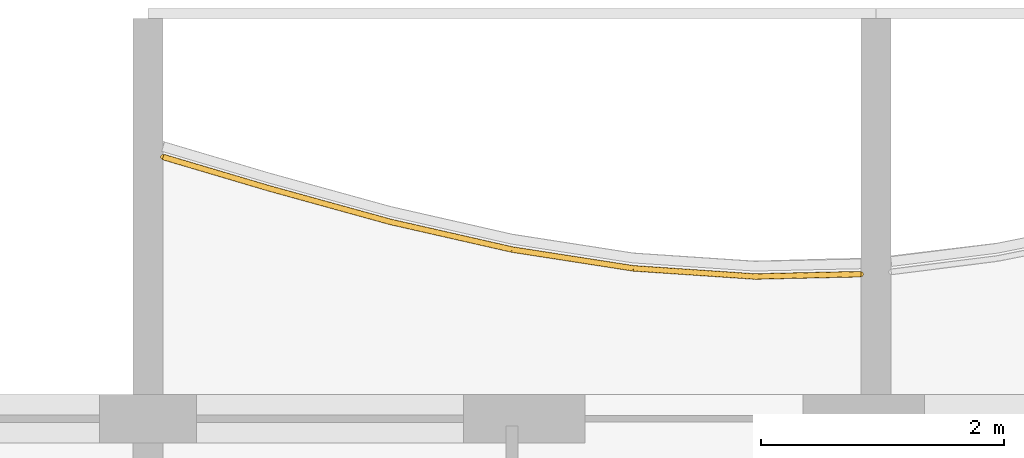
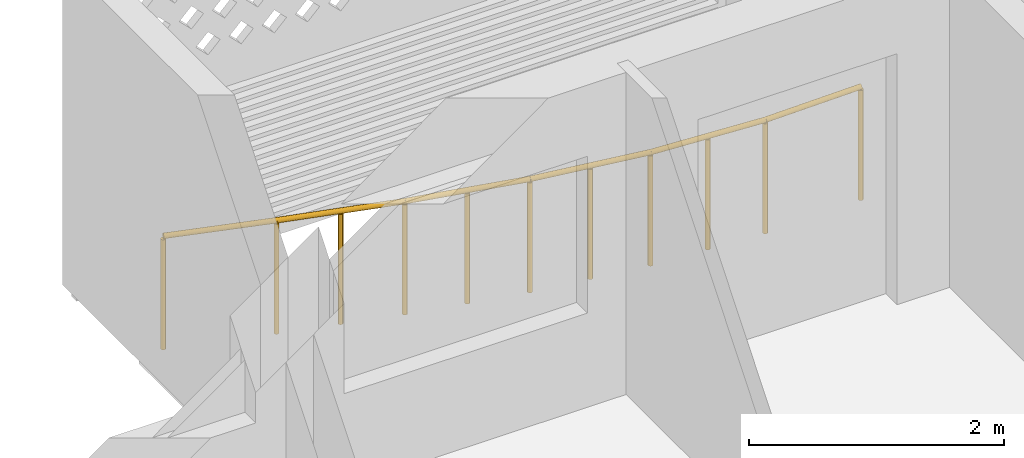
# One storey, part 16 of 27: 1 railing.
"""IFC4 building model written with IfcOpenShell, lengths in metres."""

import ifcopenshell
import ifcopenshell.guid

model = None  # the IFC model being written
_history = None  # IfcOwnerHistory: only IFC2X3 demands one
_inside = {}  # id of a spatial element -> (the spatial element, [elements in it])
_under = {}  # id of a project, library or spatial element -> (it, [spatial elements below it])
_declared = {}  # id of a project -> (the project, [libraries it declares])
_typed = {}  # id of a type object -> (the type object, [elements of that type])
_made_of = {}  # id of a material, layer set ... -> (it, [elements and type objects made of it])


def new_model(schema):
    """Start an empty IFC model of exactly this schema.

    Asked for "IFC4X3", IfcOpenShell would pick the latest addendum, in which some entities
    have other attributes; the version numbers below select the first issue.
    IFC2X3 requires an IfcOwnerHistory on every rooted entity: one is made here for all.
    """
    global model, _history
    if schema == "IFC4X3":
        model = ifcopenshell.file(schema_version=(4, 3, 0, 0))
    else:
        model = ifcopenshell.file(schema=schema)
    _inside.clear()
    _under.clear()
    _declared.clear()
    _typed.clear()
    _made_of.clear()
    _history = None
    if model.schema == "IFC2X3":
        org = make("IfcOrganization", Name="unknown")
        user = make(
            "IfcPersonAndOrganization",
            ThePerson=make("IfcPerson", FamilyName="unknown"),
            TheOrganization=org,
        )
        app = make(
            "IfcApplication",
            ApplicationDeveloper=org,
            Version="unknown",
            ApplicationFullName="unknown",
            ApplicationIdentifier="unknown",
        )
        _history = make(
            "IfcOwnerHistory",
            OwningUser=user,
            OwningApplication=app,
            ChangeAction="ADDED",
            CreationDate=0,
        )
    return model


def make(cls, **values):
    """One entity of the class cls with the attributes given. An attribute that is None is left unset."""
    return model.create_entity(
        cls, **{name: value for name, value in values.items() if value is not None}
    )


def rooted(cls, **values):
    """An entity with a GlobalId (a new one), such as an element, a storey or a relation."""
    return make(cls, GlobalId=ifcopenshell.guid.new(), OwnerHistory=_history, **values)


def si_unit(unit_type, name, prefix=None):
    """IfcSIUnit, for example si_unit("LENGTHUNIT", "METRE", prefix="MILLI")."""
    return make("IfcSIUnit", UnitType=unit_type, Prefix=prefix, Name=name)


def assignment(units):
    """IfcUnitAssignment: the units of a project."""
    return None if units is None else make("IfcUnitAssignment", Units=units)


def point(xyz):
    """IfcCartesianPoint."""
    return None if xyz is None else make("IfcCartesianPoint", Coordinates=xyz)


def direction(xyz):
    """IfcDirection."""
    return None if xyz is None else make("IfcDirection", DirectionRatios=xyz)


def frame(location, z_axis=None, x_axis=None):
    """IfcAxis2Placement3D, a coordinate frame: its origin and axes. An axis left out is left unset."""
    return make(
        "IfcAxis2Placement3D",
        Location=point(location),
        Axis=direction(z_axis),
        RefDirection=direction(x_axis),
    )


def frame_2d(location, x_axis=None):
    """IfcAxis2Placement2D, a coordinate frame in the plane: its origin and x axis."""
    return make(
        "IfcAxis2Placement2D", Location=point(location), RefDirection=direction(x_axis)
    )


def origin():
    """The frame at (0, 0, 0) with its axes left unset."""
    return frame((0.0, 0.0, 0.0))


def origin_2d():
    """The frame at (0, 0) in the plane with its x axis left unset."""
    return frame_2d((0.0, 0.0))


def place(relative_to, where):
    """IfcLocalPlacement: puts the frame where relative to a parent placement (None: the world)."""
    return make(
        "IfcLocalPlacement", PlacementRelTo=relative_to, RelativePlacement=where
    )


def context(
    kind, dimensions, precision=None, world=None, true_north=None, identifier=None
):
    """IfcGeometricRepresentationContext, for example the 3D "Model" context."""
    return make(
        "IfcGeometricRepresentationContext",
        ContextIdentifier=identifier,
        ContextType=kind,
        CoordinateSpaceDimension=dimensions,
        Precision=precision,
        WorldCoordinateSystem=world,
        TrueNorth=true_north,
    )


def subcontext(parent, identifier, kind, view, scale=None):
    """IfcGeometricRepresentationSubContext, for example "Body" below "Model"."""
    return make(
        "IfcGeometricRepresentationSubContext",
        ContextIdentifier=identifier,
        ContextType=kind,
        ParentContext=parent,
        TargetScale=scale,
        TargetView=view,
    )


def project(units=None, contexts=None):
    """IfcProject with its units and contexts."""
    return rooted(
        "IfcProject",
        Name="project",
        RepresentationContexts=contexts,
        UnitsInContext=assignment(units),
    )


def spatial(cls, under=None, at=None, **own):
    """A site, building, storey or space (cls), placed at a placement, below another one or the project."""
    s = rooted(cls, ObjectPlacement=at, **own)
    if under is not None:
        _under.setdefault(under.id(), (under, []))[1].append(s)
    return s


def profile(cls, at=None, kind="AREA", **sizes):
    """A parametric profile (cls). Its sizes go by their IFC names, for example OverallWidth=200.0."""
    return make(cls, ProfileType=kind, Position=at, **sizes)


def circle(**sizes):
    """IfcCircleProfileDef."""
    return profile("IfcCircleProfileDef", **sizes)


def extrude(swept, where, along, depth):
    """IfcExtrudedAreaSolid: the profile swept, set in the frame where, extruded along a direction by depth."""
    return make(
        "IfcExtrudedAreaSolid",
        SweptArea=swept,
        Position=where,
        ExtrudedDirection=direction(along),
        Depth=depth,
    )


def shape(context_of_items, identifier, shape_type, items):
    """IfcShapeRepresentation: the items that make up one representation, for example the "Body"."""
    return make(
        "IfcShapeRepresentation",
        ContextOfItems=context_of_items,
        RepresentationIdentifier=identifier,
        RepresentationType=shape_type,
        Items=items,
    )


def material(Name=None, Category=None):
    """IfcMaterial."""
    return make("IfcMaterial", Name=Name, Category=Category)


def made_of(thing, what):
    """Note that an element or type object is made of a material, layer set ...; save() writes the relation."""
    if what is not None:
        _made_of.setdefault(what.id(), (what, []))[1].append(thing)
    return thing


def type_object(cls, material=None, **own):
    """A type object (cls), such as IfcWallType, which elements share."""
    return made_of(rooted(cls, **own), material)


def element(
    cls,
    number,
    at=None,
    inside=None,
    cuts=None,
    type_object=None,
    material=None,
    context=None,
    identifier="Body",
    shape_type=None,
    held_by="IfcProductDefinitionShape",
    body=None,
    shapes=None,
    **own,
):
    """One element of the class cls, such as IfcWall. Its Tag is "e" and its number.

    at: its placement. inside: the storey or other place that contains it. cuts: it is an
    opening in that element (IfcRelVoidsElement). A single representation is given by context,
    identifier, shape_type and body (its items); several are given by shapes. held_by: the class
    of the entity that holds the representations. save() writes the other relations.
    """
    e = rooted(cls, Tag="e%d" % number, ObjectPlacement=at, **own)
    if body is not None:
        shapes = [shape(context, identifier, shape_type, body)]
    if shapes is not None:
        e.Representation = make(held_by, Representations=shapes)
    if inside is not None:
        _inside.setdefault(inside.id(), (inside, []))[1].append(e)
    if cuts is not None:
        rooted(
            "IfcRelVoidsElement", RelatingBuildingElement=cuts, RelatedOpeningElement=e
        )
    if type_object is not None:
        _typed.setdefault(type_object.id(), (type_object, []))[1].append(e)
    return made_of(e, material)


def aggregate(whole, parts):
    """IfcRelAggregates: a whole, such as a stair, and the parts it consists of."""
    return rooted("IfcRelAggregates", RelatingObject=whole, RelatedObjects=parts)


def save(model, path):
    """Write the relations noted so far, then the file.

    IfcRelAggregates (storeys below a building ...), IfcRelContainedInSpatialStructure (elements
    in a storey), IfcRelDefinesByType, IfcRelAssociatesMaterial and IfcRelDeclares: one each for
    every whole, place, type object, material and project.
    """
    for whole, parts in _under.values():
        aggregate(whole, parts)
    for where, things in _inside.values():
        rooted(
            "IfcRelContainedInSpatialStructure",
            RelatedElements=things,
            RelatingStructure=where,
        )
    for kind, things in _typed.values():
        rooted("IfcRelDefinesByType", RelatedObjects=things, RelatingType=kind)
    for what, things in _made_of.values():
        rooted("IfcRelAssociatesMaterial", RelatedObjects=things, RelatingMaterial=what)
    for by, libraries in _declared.values():
        rooted("IfcRelDeclares", RelatingContext=by, RelatedDefinitions=libraries)
    model.write(path)


model = new_model("IFC4")

# Units and contexts
model_context = context("Model", 3, precision=1e-05, world=origin(), true_north=direction((0.0, 1.0)))
body_context = subcontext(model_context, "Body", "Model", "MODEL_VIEW")
ifc_project = project(units=[si_unit("LENGTHUNIT", "METRE"), si_unit("AREAUNIT", "SQUARE_METRE"), si_unit("VOLUMEUNIT", "CUBIC_METRE"), si_unit("PLANEANGLEUNIT", "RADIAN"), si_unit("MASSUNIT", "GRAM", prefix="KILO")], contexts=[model_context])

# Site, building, storey
site_placement = place(None, origin())
site = spatial("IfcSite", under=ifc_project, at=site_placement, CompositionType="ELEMENT")
building_placement = place(site_placement, origin())
building = spatial("IfcBuilding", under=site, at=building_placement, Name="Poui Terraces", CompositionType="ELEMENT")
storey_placement = place(building_placement, frame((0.0, 0.0, 254.39990234375)))
storey = spatial("IfcBuildingStorey", under=building, at=storey_placement, Name="L71", CompositionType="ELEMENT", Elevation=254.39990234375)

# Railing
ifc_material = material(Name="Painted steel fretwork", Category="steel")
railing_type = type_object("IfcRailingType", Name="BALCONY GUARD 1100", PredefinedType="GUARDRAIL", material=ifc_material)
railing_placement = place(storey_placement, frame((30.125, 43.35693359375, 0.0)))
element("IfcRailing", 1, at=railing_placement, inside=storey, type_object=railing_type, Name="BALCONY GUARD", PredefinedType="GUARDRAIL", context=body_context, shape_type="SweptSolid", body=[
    extrude(circle(Radius=0.02392578125, at=origin_2d()), frame((0.0, 0.0, 1.076171875), z_axis=(0.958865561228, -0.283860591647, 0.0), x_axis=(0.283860591647, 0.958865561228, 0.0)), (0.0, 0.0, 1.0), 0.91259765625),
    extrude(circle(Radius=0.02392578125, at=origin_2d()), frame((0.875, -0.259033203125, 1.076171875), z_axis=(0.963928100541, -0.26616276409, 0.0), x_axis=(0.26616276409, 0.963928100541, 0.0)), (0.0, 0.0, 1.0), 1.037353515625),
    extrude(circle(Radius=0.02392578125, at=origin_2d()), frame((1.875, -0.53515625, 1.076171875), z_axis=(0.975128178395, -0.221641683127, 0.0), x_axis=(0.221641683127, 0.975128178395, 0.0)), (0.0, 0.0, 1.0), 1.025390625),
    extrude(circle(Radius=0.02392578125, at=origin_2d()), frame((2.875, -0.762451171875, 1.076171875), z_axis=(0.9881587723, -0.153434809371, 0.0), x_axis=(0.153434809371, 0.9881587723, 0.0)), (0.0, 0.0, 1.0), 1.011962890625),
    extrude(circle(Radius=0.02392578125, at=origin_2d()), frame((3.875, -0.917724609375, 1.076171875), z_axis=(0.997753790287, -0.066987864338, 0.0), x_axis=(0.066987864338, 0.997753790287, 0.0)), (0.0, 0.0, 1.0), 1.002197265625),
    extrude(circle(Radius=0.02392578125, at=origin_2d()), frame((4.875, -0.98486328125, 1.076171875), z_axis=(0.999757154554, 0.022037057815, 0.0), x_axis=(-0.022037057815, 0.999757154554, 0.0)), (0.0, 0.0, 1.0), 0.875244140625),
    extrude(circle(Radius=0.02099609375, at=origin_2d()), origin(), (0.0, 0.0, 1.0), 1.052001953125),
    extrude(circle(Radius=0.02099609375, at=origin_2d()), frame((0.875, -0.259033203125, 0.0)), (0.0, 0.0, 1.0), 1.052001953125),
    extrude(circle(Radius=0.02099609375, at=origin_2d()), frame((1.375, -0.39697265625, 0.0)), (0.0, 0.0, 1.0), 1.052001953125),
    extrude(circle(Radius=0.02099609375, at=origin_2d()), frame((1.875, -0.53515625, 0.0)), (0.0, 0.0, 1.0), 1.052001953125),
    extrude(circle(Radius=0.02099609375, at=origin_2d()), frame((2.375, -0.64892578125, 0.0)), (0.0, 0.0, 1.0), 1.052001953125),
    extrude(circle(Radius=0.02099609375, at=origin_2d()), frame((2.875, -0.762451171875, 0.0)), (0.0, 0.0, 1.0), 1.052001953125),
    extrude(circle(Radius=0.02099609375, at=origin_2d()), frame((3.375, -0.840087890625, 0.0)), (0.0, 0.0, 1.0), 1.052001953125),
    extrude(circle(Radius=0.02099609375, at=origin_2d()), frame((3.875, -0.917724609375, 0.0)), (0.0, 0.0, 1.0), 1.052001953125),
    extrude(circle(Radius=0.02099609375, at=origin_2d()), frame((4.375, -0.951171875, 0.0)), (0.0, 0.0, 1.0), 1.052001953125),
    extrude(circle(Radius=0.02099609375, at=origin_2d()), frame((4.875, -0.98486328125, 0.0)), (0.0, 0.0, 1.0), 1.052001953125),
    extrude(circle(Radius=0.02099609375, at=origin_2d()), frame((5.75, -0.965576171875, 0.0)), (0.0, 0.0, 1.0), 1.052001953125),
])

save(model, "model.ifc")
